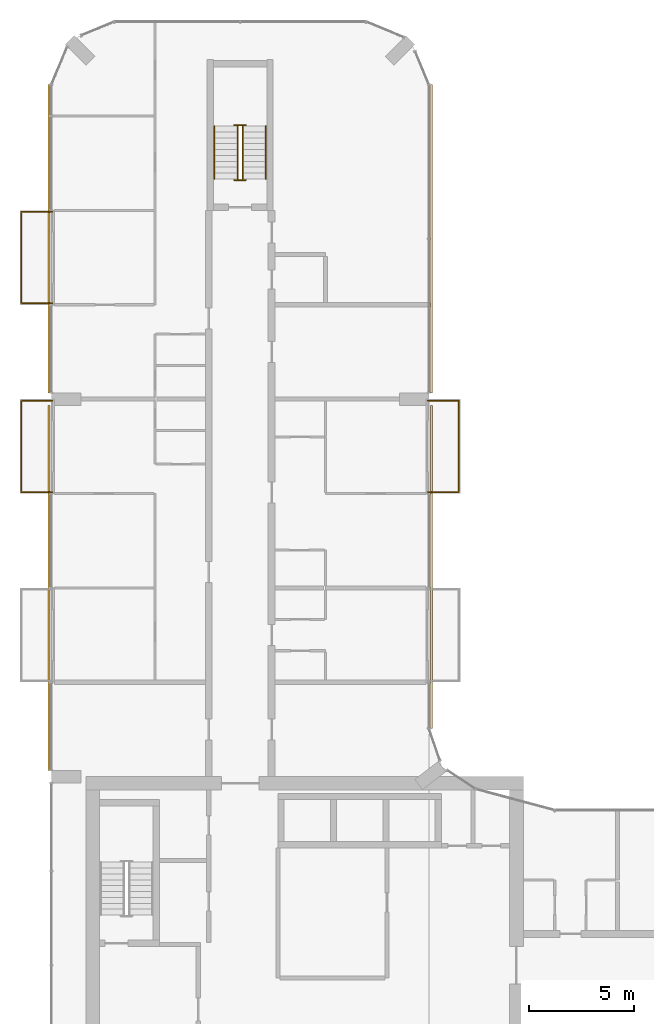
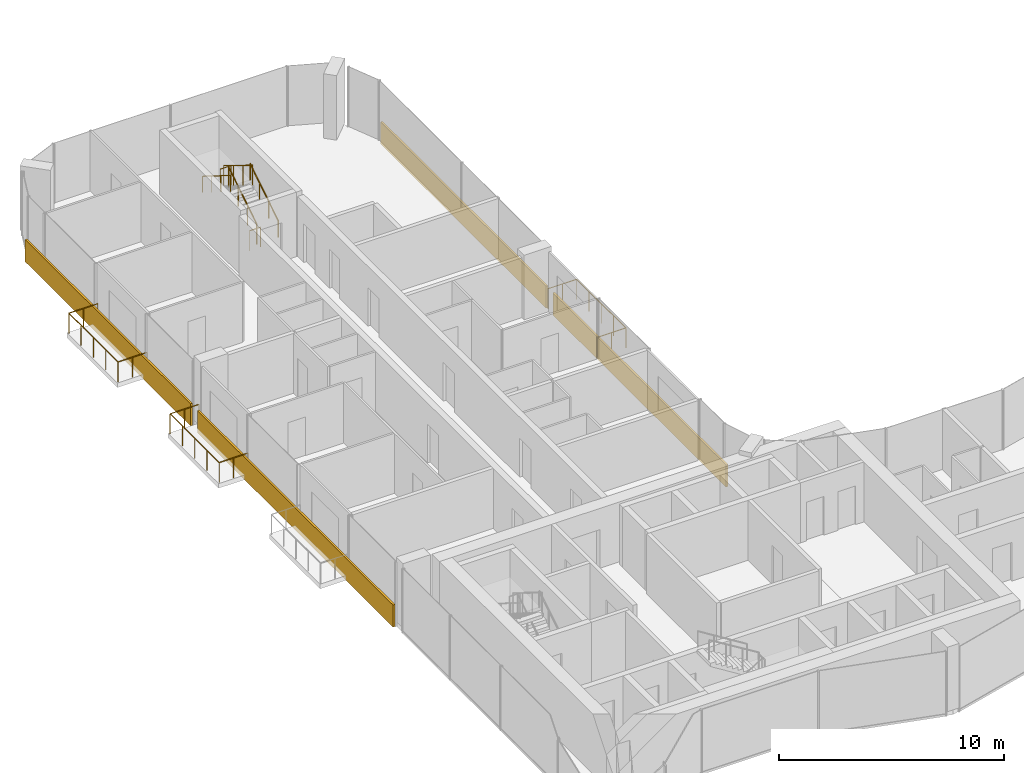
# One storey, part 21 of 22: 9 railings, 4 coverings.
"""IFC4 building model written with IfcOpenShell, lengths in metres."""

from ifc_helpers import new_model, si_unit, direction, frame, origin, origin_2d, place, context, subcontext, project, spatial, rectangle, circle, extrude, material, layer, layer_set, type_object, element, save


model = new_model("IFC4")

# Units and contexts
model_context = context("Model", 3, precision=1e-05, world=origin(), true_north=direction((0.0, 1.0)))
body_context = subcontext(model_context, "Body", "Model", "MODEL_VIEW")
ifc_project = project(units=[si_unit("LENGTHUNIT", "METRE"), si_unit("AREAUNIT", "SQUARE_METRE"), si_unit("VOLUMEUNIT", "CUBIC_METRE"), si_unit("PLANEANGLEUNIT", "RADIAN"), si_unit("MASSUNIT", "GRAM", prefix="KILO")], contexts=[model_context])

# Site, building, storey
site_placement = place(None, origin())
site = spatial("IfcSite", under=ifc_project, at=site_placement, CompositionType="ELEMENT")
building_placement = place(site_placement, origin())
building = spatial("IfcBuilding", under=site, at=building_placement, Name="Plateau Cross Towers", CompositionType="ELEMENT")
storey_placement = place(building_placement, frame((0.0, 0.0, 116.800048828125)))
storey = spatial("IfcBuildingStorey", under=building, at=storey_placement, Name="L30", CompositionType="ELEMENT", Elevation=116.800048828125)

# Railings
ifc_material_1 = material(Name="Stainless steel and toughened glass", Category="steel")
railing_type_1 = type_object("IfcRailingType", Name="Glass balustrade guard 1100", PredefinedType="GUARDRAIL", material=ifc_material_1)
for number, where, name in (
    (1, (0.050048828125, 31.570068359375, 0.0), "Guard guard1"),
    (2, (0.050048828125, 40.570068359375, 0.0), "Guard guard1"),
):
    element("IfcRailing", number, at=place(storey_placement, frame(where)), inside=storey, type_object=railing_type_1, Name=name, PredefinedType="GUARDRAIL", context=body_context, shape_type="SweptSolid", body=[
        extrude(circle(Radius=0.02392578125, at=origin_2d()), frame((0.0, 0.0, 1.076171875), z_axis=(-1.0, 0.0, 0.0), x_axis=(0.0, -1.0, 0.0)), (0.0, 0.0, 1.0), 1.47998046875),
        extrude(circle(Radius=0.02392578125, at=origin_2d()), frame((-1.47998046875, 0.0, 1.076171875), z_axis=(0.0, 1.0, 0.0), x_axis=(-1.0, 0.0, 0.0)), (0.0, 0.0, 1.0), 4.35986328125),
        extrude(circle(Radius=0.02392578125, at=origin_2d()), frame((-1.47998046875, 4.35986328125, 1.076171875), z_axis=(1.0, 0.0, 0.0), x_axis=(0.0, 1.0, 0.0)), (0.0, 0.0, 1.0), 1.47998046875),
        extrude(circle(Radius=0.02099609375, at=origin_2d()), origin(), (0.0, 0.0, 1.0), 1.052001953125),
        extrude(circle(Radius=0.02099609375, at=origin_2d()), frame((-0.739990234375, 0.0, 0.0)), (0.0, 0.0, 1.0), 1.052001953125),
        extrude(circle(Radius=0.02099609375, at=origin_2d()), frame((-1.47998046875, 0.0, 0.0)), (0.0, 0.0, 1.0), 1.052001953125),
        extrude(circle(Radius=0.02099609375, at=origin_2d()), frame((-1.47998046875, 1.08984375, 0.0)), (0.0, 0.0, 1.0), 1.052001953125),
        extrude(circle(Radius=0.02099609375, at=origin_2d()), frame((-1.47998046875, 2.179931640625, 0.0)), (0.0, 0.0, 1.0), 1.052001953125),
        extrude(circle(Radius=0.02099609375, at=origin_2d()), frame((-1.47998046875, 3.27001953125, 0.0)), (0.0, 0.0, 1.0), 1.052001953125),
        extrude(circle(Radius=0.02099609375, at=origin_2d()), frame((-1.47998046875, 4.35986328125, 0.0)), (0.0, 0.0, 1.0), 1.052001953125),
        extrude(circle(Radius=0.02099609375, at=origin_2d()), frame((-0.739990234375, 4.35986328125, 0.0)), (0.0, 0.0, 1.0), 1.052001953125),
        extrude(circle(Radius=0.02099609375, at=origin_2d()), frame((0.0, 4.35986328125, 0.0)), (0.0, 0.0, 1.0), 1.052001953125),
    ])
railing_1_placement = place(storey_placement, frame((17.949951171875, 35.929931640625, 0.0)))
element("IfcRailing", 3, at=railing_1_placement, inside=storey, type_object=railing_type_1, Name="Guard guard1", PredefinedType="GUARDRAIL", context=body_context, shape_type="SweptSolid", body=[
    extrude(circle(Radius=0.02392578125, at=origin_2d()), frame((0.0, 0.0, 1.076171875), z_axis=(1.0, 0.0, 0.0), x_axis=(0.0, 1.0, 0.0)), (0.0, 0.0, 1.0), 1.47998046875),
    extrude(circle(Radius=0.02392578125, at=origin_2d()), frame((1.47998046875, 0.0, 1.076171875), z_axis=(0.0, -1.0, 0.0), x_axis=(1.0, 0.0, 0.0)), (0.0, 0.0, 1.0), 4.35986328125),
    extrude(circle(Radius=0.02392578125, at=origin_2d()), frame((1.47998046875, -4.35986328125, 1.076171875), z_axis=(-1.0, 0.0, 0.0), x_axis=(0.0, -1.0, 0.0)), (0.0, 0.0, 1.0), 1.47998046875),
    extrude(circle(Radius=0.02099609375, at=origin_2d()), origin(), (0.0, 0.0, 1.0), 1.052001953125),
    extrude(circle(Radius=0.02099609375, at=origin_2d()), frame((0.739990234375, 0.0, 0.0)), (0.0, 0.0, 1.0), 1.052001953125),
    extrude(circle(Radius=0.02099609375, at=origin_2d()), frame((1.47998046875, 0.0, 0.0)), (0.0, 0.0, 1.0), 1.052001953125),
    extrude(circle(Radius=0.02099609375, at=origin_2d()), frame((1.47998046875, -1.08984375, 0.0)), (0.0, 0.0, 1.0), 1.052001953125),
    extrude(circle(Radius=0.02099609375, at=origin_2d()), frame((1.47998046875, -2.179931640625, 0.0)), (0.0, 0.0, 1.0), 1.052001953125),
    extrude(circle(Radius=0.02099609375, at=origin_2d()), frame((1.47998046875, -3.27001953125, 0.0)), (0.0, 0.0, 1.0), 1.052001953125),
    extrude(circle(Radius=0.02099609375, at=origin_2d()), frame((1.47998046875, -4.35986328125, 0.0)), (0.0, 0.0, 1.0), 1.052001953125),
    extrude(circle(Radius=0.02099609375, at=origin_2d()), frame((0.739990234375, -4.35986328125, 0.0)), (0.0, 0.0, 1.0), 1.052001953125),
    extrude(circle(Radius=0.02099609375, at=origin_2d()), frame((0.0, -4.35986328125, 0.0)), (0.0, 0.0, 1.0), 1.052001953125),
])
railing_type_2 = type_object("IfcRailingType", Name="RL-GUARD-1100", PredefinedType="GUARDRAIL", material=ifc_material_1)
railing_2_placement = place(storey_placement, frame((9.125, 46.5, 0.175048828125)))
element("IfcRailing", 4, at=railing_2_placement, inside=storey, type_object=railing_type_2, Name="L30 ES-N stair guard 1", PredefinedType="GUARDRAIL", context=body_context, shape_type="SweptSolid", body=[
    extrude(circle(Radius=0.02392578125, at=origin_2d()), frame((0.0, 0.0, 1.076171875), z_axis=(0.0, 0.848007534815, 0.529984170421), x_axis=(-1.0, 0.0, 0.0)), (0.0, 0.0, 1.0), 2.9716796875),
    extrude(circle(Radius=0.02099609375, at=origin_2d()), origin(), (0.0, 0.0, 1.0), 1.052001953125),
    extrude(circle(Radius=0.02099609375, at=origin_2d()), frame((0.0, 0.840087890625, 0.52490234375)), (0.0, 0.0, 1.0), 1.052001953125),
    extrude(circle(Radius=0.02099609375, at=origin_2d()), frame((0.0, 1.679931640625, 1.050048828125)), (0.0, 0.0, 1.0), 1.052001953125),
    extrude(circle(Radius=0.02099609375, at=origin_2d()), frame((0.0, 2.52001953125, 1.574951171875)), (0.0, 0.0, 1.0), 1.052001953125),
])
railing_3_placement = place(storey_placement, frame((9.27490234375, 49.070068359375, 1.75)))
element("IfcRailing", 5, at=railing_3_placement, inside=storey, type_object=railing_type_2, Name="L30 ES-N stair guard 2", PredefinedType="GUARDRAIL", context=body_context, shape_type="SweptSolid", body=[
    extrude(circle(Radius=0.02392578125, at=origin_2d()), frame((0.0, 0.0, 1.076171875), z_axis=(-1.0, 0.0, 0.0), x_axis=(0.0, -1.0, 0.0)), (0.0, 0.0, 1.0), 0.5498046875),
    extrude(circle(Radius=0.02099609375, at=origin_2d()), origin(), (0.0, 0.0, 1.0), 1.052001953125),
    extrude(circle(Radius=0.02099609375, at=origin_2d()), frame((-0.5498046875, 0.0, 0.0)), (0.0, 0.0, 1.0), 1.052001953125),
])
railing_4_placement = place(storey_placement, frame((8.875, 49.02001953125, 1.925048828125)))
element("IfcRailing", 6, at=railing_4_placement, inside=storey, type_object=railing_type_2, Name="L30 ES-N stair guard 3", PredefinedType="GUARDRAIL", context=body_context, shape_type="SweptSolid", body=[
    extrude(circle(Radius=0.02392578125, at=origin_2d()), frame((0.0, 0.0, 1.076171875), z_axis=(0.0, -0.852638500773, 0.522501279423), x_axis=(1.0, 0.0, 0.0)), (0.0, 0.0, 1.0), 3.01416015625),
    extrude(circle(Radius=0.02099609375, at=origin_2d()), origin(), (0.0, 0.0, 1.0), 1.052001953125),
    extrude(circle(Radius=0.02099609375, at=origin_2d()), frame((0.0, -0.856689453125, 0.52490234375)), (0.0, 0.0, 1.0), 1.052001953125),
    extrude(circle(Radius=0.02099609375, at=origin_2d()), frame((0.0, -1.71337890625, 1.050048828125)), (0.0, 0.0, 1.0), 1.052001953125),
    extrude(circle(Radius=0.02099609375, at=origin_2d()), frame((0.0, -2.570068359375, 1.574951171875)), (0.0, 0.0, 1.0), 1.052001953125),
])
railing_5_placement = place(storey_placement, frame((9.27490234375, 46.449951171875, 0.0)))
element("IfcRailing", 7, at=railing_5_placement, inside=storey, type_object=railing_type_2, Name="L30 ES-N stair guard 4", PredefinedType="GUARDRAIL", context=body_context, shape_type="SweptSolid", body=[
    extrude(circle(Radius=0.02392578125, at=origin_2d()), frame((0.0, 0.0, 1.076171875), z_axis=(-1.0, 0.0, 0.0), x_axis=(0.0, -1.0, 0.0)), (0.0, 0.0, 1.0), 0.5498046875),
    extrude(circle(Radius=0.02099609375, at=origin_2d()), origin(), (0.0, 0.0, 1.0), 1.052001953125),
    extrude(circle(Radius=0.02099609375, at=origin_2d()), frame((-0.5498046875, 0.0, 0.0)), (0.0, 0.0, 1.0), 1.052001953125),
])
ifc_material_2 = material(Name="Black anodised aluminium", Category="aluminium")
railing_type_3 = type_object("IfcRailingType", Name="RL-HANDRAIL-900", PredefinedType="HANDRAIL", material=ifc_material_2)
railing_6_placement = place(storey_placement, frame((10.22509765625, 46.5, 0.175048828125)))
element("IfcRailing", 8, at=railing_6_placement, inside=storey, type_object=railing_type_3, Name="L30 ES-N stair handrail 1", PredefinedType="HANDRAIL", context=body_context, shape_type="SweptSolid", body=[
    extrude(circle(Radius=0.02392578125, at=origin_2d()), frame((0.0, 0.0, 0.8759765625), z_axis=(0.0, 0.848007534815, 0.529984170421), x_axis=(-1.0, 0.0, 0.0)), (0.0, 0.0, 1.0), 2.9716796875),
    extrude(circle(Radius=0.02099609375, at=origin_2d()), origin(), (0.0, 0.0, 1.0), 0.851806640625),
    extrude(circle(Radius=0.02099609375, at=origin_2d()), frame((0.0, 0.840087890625, 0.52490234375)), (0.0, 0.0, 1.0), 0.851806640625),
    extrude(circle(Radius=0.02099609375, at=origin_2d()), frame((0.0, 1.679931640625, 1.050048828125)), (0.0, 0.0, 1.0), 0.851806640625),
    extrude(circle(Radius=0.02099609375, at=origin_2d()), frame((0.0, 2.52001953125, 1.574951171875)), (0.0, 0.0, 1.0), 0.851806640625),
])
railing_7_placement = place(storey_placement, frame((7.77490234375, 49.02001953125, 1.925048828125)))
element("IfcRailing", 9, at=railing_7_placement, inside=storey, type_object=railing_type_3, Name="L30 ES-N stair handrail 2", PredefinedType="HANDRAIL", context=body_context, shape_type="SweptSolid", body=[
    extrude(circle(Radius=0.02392578125, at=origin_2d()), frame((0.0, 0.0, 0.8759765625), z_axis=(0.0, -0.848007534815, 0.529984170421), x_axis=(1.0, 0.0, 0.0)), (0.0, 0.0, 1.0), 2.9716796875),
    extrude(circle(Radius=0.02099609375, at=origin_2d()), origin(), (0.0, 0.0, 1.0), 0.851806640625),
    extrude(circle(Radius=0.02099609375, at=origin_2d()), frame((0.0, -0.840087890625, 0.52490234375)), (0.0, 0.0, 1.0), 0.851806640625),
    extrude(circle(Radius=0.02099609375, at=origin_2d()), frame((0.0, -1.679931640625, 1.050048828125)), (0.0, 0.0, 1.0), 0.851806640625),
    extrude(circle(Radius=0.02099609375, at=origin_2d()), frame((0.0, -2.52001953125, 1.574951171875)), (0.0, 0.0, 1.0), 0.851806640625),
])

# Coverings
ifc_material_3 = material(Name="Precast concrete cladding C40/50", Category="concrete")
ifc_layer = layer(ifc_material_3, 0.10009765625)
ifc_layer_set = layer_set([ifc_layer], Name="Precast concrete cladding C40/50")
covering_type = type_object("IfcCoveringType", Name="Spandrel band cladding 100x1200", PredefinedType="CLADDING", material=ifc_layer_set)
covering_1_placement = place(storey_placement, frame((18.1201171875, 28.001220703125, -0.25), z_axis=(0.0, 0.0, 1.0), x_axis=(0.0, 1.0, 0.0)))
element("IfcCovering", 10, at=covering_1_placement, inside=storey, type_object=covering_type, Name="Spandrel band", PredefinedType="CLADDING", context=body_context, shape_type="SweptSolid", body=[
    extrude(rectangle(XDim=15.397705078125, YDim=0.10009765625, at=origin_2d()), origin(), (0.0, 0.0, 1.0), 1.199951171875),
])
for number, where, z_axis, x_axis, name in (
    (11, (18.1201171875, 43.64990234375, -0.25), (0.0, 0.0, 1.0), (0.0, 1.0, 0.0), "Spandrel band"),
    (12, (-0.1201171875, 43.64990234375, -0.25), (0.0, 0.0, 1.0), (0.0, -1.0, 0.0), "Spandrel band"),
):
    element("IfcCovering", number, at=place(storey_placement, frame(where, z_axis=z_axis, x_axis=x_axis)), inside=storey, type_object=covering_type, Name=name, PredefinedType="CLADDING", context=body_context, shape_type="SweptSolid", body=[
        extrude(rectangle(XDim=14.699951171875, YDim=0.10009765625, at=origin_2d()), origin(), (0.0, 0.0, 1.0), 1.199951171875),
    ])
covering_2_placement = place(storey_placement, frame((-0.1201171875, 27.0, -0.25), z_axis=(0.0, 0.0, 1.0), x_axis=(0.0, -1.0, 0.0)))
element("IfcCovering", 13, at=covering_2_placement, inside=storey, type_object=covering_type, Name="Spandrel band", PredefinedType="CLADDING", context=body_context, shape_type="SweptSolid", body=[
    extrude(rectangle(XDim=17.39990234375, YDim=0.10009765625, at=origin_2d()), origin(), (0.0, 0.0, 1.0), 1.199951171875),
])

save(model, "model.ifc")
